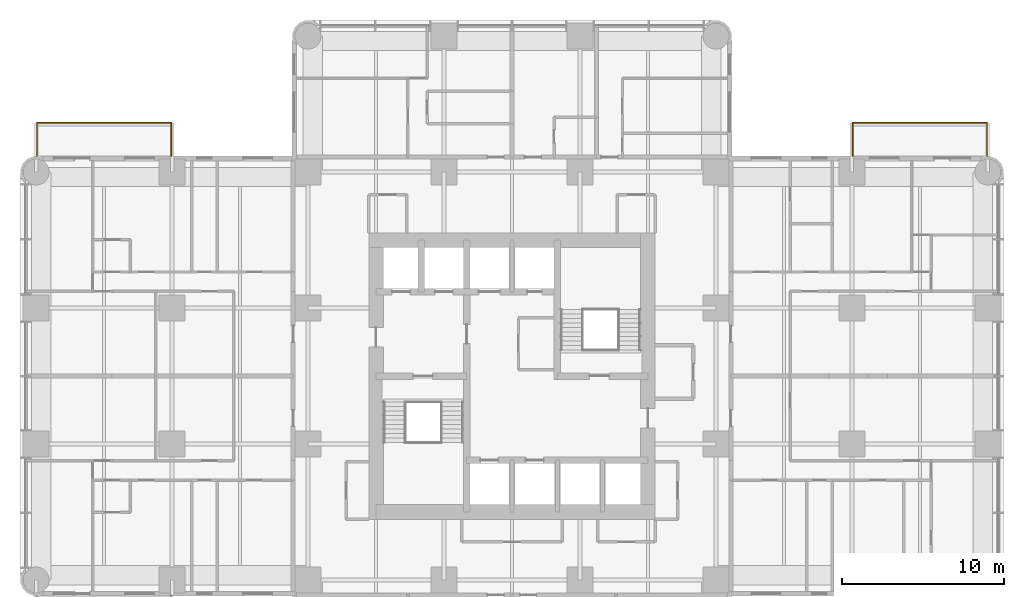
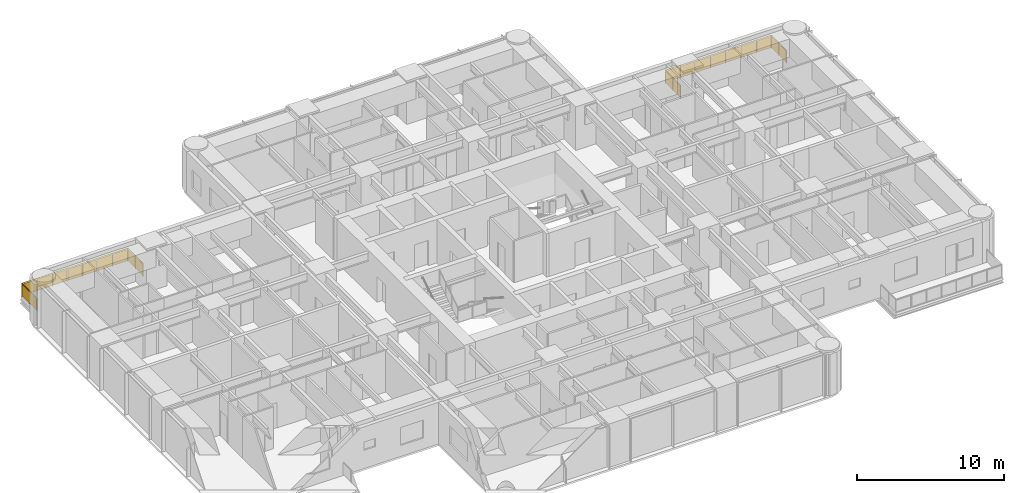
# One storey, part 15 of 15: 2 railings.
"""IFC4 building model written with IfcOpenShell, lengths in metres."""

from ifc_helpers import new_model, si_unit, direction, frame, origin, origin_2d, place, context, subcontext, project, spatial, polyline, circle, outline, extrude, material, constituent, constituent_set, type_object, element, save


model = new_model("IFC4")

# Units and contexts
model_context = context("Model", 3, precision=1e-05, world=origin(), true_north=direction((0.0, 1.0)))
body_context = subcontext(model_context, "Body", "Model", "MODEL_VIEW")
ifc_project = project(units=[si_unit("LENGTHUNIT", "METRE"), si_unit("AREAUNIT", "SQUARE_METRE"), si_unit("VOLUMEUNIT", "CUBIC_METRE"), si_unit("PLANEANGLEUNIT", "RADIAN"), si_unit("MASSUNIT", "GRAM", prefix="KILO")], contexts=[model_context])

# Site, building, storey
site_placement = place(None, origin())
site = spatial("IfcSite", under=ifc_project, at=site_placement, CompositionType="ELEMENT")
building_placement = place(site_placement, origin())
building = spatial("IfcBuilding", under=site, at=building_placement, Name="Torre Alcanfor", CompositionType="ELEMENT")
storey_placement = place(building_placement, frame((0.0, 0.0, 144.89990234375)))
storey = spatial("IfcBuildingStorey", under=building, at=storey_placement, Name="L37", CompositionType="ELEMENT", Elevation=144.89990234375)

# Railings
ifc_material_1 = material(Name="Laminated safety glass", Category="glass")
ifc_constituent_1 = constituent(ifc_material_1, Name="Infill")
ifc_material_2 = material(Name="Stainless steel ASTM A554 Grade MT 316L tube", Category="steel")
ifc_constituent_2 = constituent(ifc_material_2, Name="Posts and rail")
ifc_constituent_set = constituent_set(constituents=[ifc_constituent_1, ifc_constituent_2], Name="Balcony guard glass 1100")
railing_type = type_object("IfcRailingType", Name="Balcony guard glass 1100", PredefinedType="BALUSTRADE", material=ifc_constituent_set)
railing_1_placement = place(storey_placement, frame((50.449951171875, 43.0, 0.0)))
element("IfcRailing", 1, at=railing_1_placement, inside=storey, type_object=railing_type, Name="Balcony guard L37-E1", PredefinedType="BALUSTRADE", context=body_context, shape_type="SweptSolid", body=[
    extrude(circle(Radius=0.02392578125, at=origin_2d()), frame((0.0, 0.0, 1.076171875), z_axis=(0.0, 1.0, 0.0), x_axis=(-1.0, 0.0, 0.0)), (0.0, 0.0, 1.0), 2.050048828125),
    extrude(circle(Radius=0.02392578125, at=origin_2d()), frame((0.0, 2.050048828125, 1.076171875), z_axis=(1.0, 0.0, 0.0), x_axis=(0.0, 1.0, 0.0)), (0.0, 0.0, 1.0), 8.300048828125),
    extrude(circle(Radius=0.02392578125, at=origin_2d()), frame((8.300048828125, 2.050048828125, 1.076171875), z_axis=(0.0, -1.0, 0.0), x_axis=(1.0, 0.0, 0.0)), (0.0, 0.0, 1.0), 2.050048828125),
    extrude(circle(Radius=0.02099609375, at=origin_2d()), origin(), (0.0, 0.0, 1.0), 1.052001953125),
    extrude(circle(Radius=0.02099609375, at=origin_2d()), frame((0.0, 1.02490234375, 0.0)), (0.0, 0.0, 1.0), 1.052001953125),
    extrude(circle(Radius=0.02099609375, at=origin_2d()), frame((0.0, 2.050048828125, 0.0)), (0.0, 0.0, 1.0), 1.052001953125),
    extrude(circle(Radius=0.02099609375, at=origin_2d()), frame((1.185791015625, 2.050048828125, 0.0)), (0.0, 0.0, 1.0), 1.052001953125),
    extrude(circle(Radius=0.02099609375, at=origin_2d()), frame((2.371337890625, 2.050048828125, 0.0)), (0.0, 0.0, 1.0), 1.052001953125),
    extrude(circle(Radius=0.02099609375, at=origin_2d()), frame((3.55712890625, 2.050048828125, 0.0)), (0.0, 0.0, 1.0), 1.052001953125),
    extrude(circle(Radius=0.02099609375, at=origin_2d()), frame((4.742919921875, 2.050048828125, 0.0)), (0.0, 0.0, 1.0), 1.052001953125),
    extrude(circle(Radius=0.02099609375, at=origin_2d()), frame((5.9287109375, 2.050048828125, 0.0)), (0.0, 0.0, 1.0), 1.052001953125),
    extrude(circle(Radius=0.02099609375, at=origin_2d()), frame((7.1142578125, 2.050048828125, 0.0)), (0.0, 0.0, 1.0), 1.052001953125),
    extrude(circle(Radius=0.02099609375, at=origin_2d()), frame((8.300048828125, 2.050048828125, 0.0)), (0.0, 0.0, 1.0), 1.052001953125),
    extrude(circle(Radius=0.02099609375, at=origin_2d()), frame((8.300048828125, 1.02490234375, 0.0)), (0.0, 0.0, 1.0), 1.052001953125),
    extrude(circle(Radius=0.02099609375, at=origin_2d()), frame((8.300048828125, 0.0, 0.0)), (0.0, 0.0, 1.0), 1.052001953125),
    extrude(outline(polyline([(0.041015625, 0.050048828125), (0.984130859375, 0.050048828125), (0.984130859375, 1.001953125), (0.041015625, 1.001953125), (0.041015625, 0.050048828125)])), frame((-0.005859375, 0.0, 0.0), z_axis=(1.0, 0.0, 0.0), x_axis=(0.0, 1.0, 0.0)), (0.0, 0.0, 1.0), 0.011962890625),
    extrude(outline(polyline([(1.06591796875, 0.050048828125), (2.009033203125, 0.050048828125), (2.009033203125, 1.001953125), (1.06591796875, 1.001953125), (1.06591796875, 0.050048828125)])), frame((-0.005859375, 0.0, 0.0), z_axis=(1.0, 0.0, 0.0), x_axis=(0.0, 1.0, 0.0)), (0.0, 0.0, 1.0), 0.011962890625),
    extrude(outline(polyline([(0.041015625, 0.050048828125), (1.144775390625, 0.050048828125), (1.144775390625, 1.001953125), (0.041015625, 1.001953125), (0.041015625, 0.050048828125)])), frame((0.0, 2.05615234375, 0.0), z_axis=(0.0, -1.0, 0.0), x_axis=(1.0, 0.0, 0.0)), (0.0, 0.0, 1.0), 0.011962890625),
    extrude(outline(polyline([(1.226806640625, 0.050048828125), (2.330322265625, 0.050048828125), (2.330322265625, 1.001953125), (1.226806640625, 1.001953125), (1.226806640625, 0.050048828125)])), frame((0.0, 2.05615234375, 0.0), z_axis=(0.0, -1.0, 0.0), x_axis=(1.0, 0.0, 0.0)), (0.0, 0.0, 1.0), 0.011962890625),
    extrude(outline(polyline([(2.412353515625, 0.050048828125), (3.51611328125, 0.050048828125), (3.51611328125, 1.001953125), (2.412353515625, 1.001953125), (2.412353515625, 0.050048828125)])), frame((0.0, 2.05615234375, 0.0), z_axis=(0.0, -1.0, 0.0), x_axis=(1.0, 0.0, 0.0)), (0.0, 0.0, 1.0), 0.011962890625),
    extrude(outline(polyline([(3.59814453125, 0.050048828125), (4.701904296875, 0.050048828125), (4.701904296875, 1.001953125), (3.59814453125, 1.001953125), (3.59814453125, 0.050048828125)])), frame((0.0, 2.05615234375, 0.0), z_axis=(0.0, -1.0, 0.0), x_axis=(1.0, 0.0, 0.0)), (0.0, 0.0, 1.0), 0.011962890625),
    extrude(outline(polyline([(4.783935546875, 0.050048828125), (5.8876953125, 0.050048828125), (5.8876953125, 1.001953125), (4.783935546875, 1.001953125), (4.783935546875, 0.050048828125)])), frame((0.0, 2.05615234375, 0.0), z_axis=(0.0, -1.0, 0.0), x_axis=(1.0, 0.0, 0.0)), (0.0, 0.0, 1.0), 0.011962890625),
    extrude(outline(polyline([(5.9697265625, 0.050048828125), (7.0732421875, 0.050048828125), (7.0732421875, 1.001953125), (5.9697265625, 1.001953125), (5.9697265625, 0.050048828125)])), frame((0.0, 2.05615234375, 0.0), z_axis=(0.0, -1.0, 0.0), x_axis=(1.0, 0.0, 0.0)), (0.0, 0.0, 1.0), 0.011962890625),
    extrude(outline(polyline([(7.1552734375, 0.050048828125), (8.259033203125, 0.050048828125), (8.259033203125, 1.001953125), (7.1552734375, 1.001953125), (7.1552734375, 0.050048828125)])), frame((0.0, 2.05615234375, 0.0), z_axis=(0.0, -1.0, 0.0), x_axis=(1.0, 0.0, 0.0)), (0.0, 0.0, 1.0), 0.011962890625),
    extrude(outline(polyline([(0.041015625, 0.050048828125), (0.984130859375, 0.050048828125), (0.984130859375, 1.001953125), (0.041015625, 1.001953125), (0.041015625, 0.050048828125)])), frame((8.30615234375, 2.050048828125, 0.0), z_axis=(-1.0, 0.0, 0.0), x_axis=(0.0, -1.0, 0.0)), (0.0, 0.0, 1.0), 0.011962890625),
    extrude(outline(polyline([(1.06591796875, 0.050048828125), (2.009033203125, 0.050048828125), (2.009033203125, 1.001953125), (1.06591796875, 1.001953125), (1.06591796875, 0.050048828125)])), frame((8.30615234375, 2.050048828125, 0.0), z_axis=(-1.0, 0.0, 0.0), x_axis=(0.0, -1.0, 0.0)), (0.0, 0.0, 1.0), 0.011962890625),
])
railing_2_placement = place(storey_placement, frame((8.35009765625, 43.0, 0.0)))
element("IfcRailing", 2, at=railing_2_placement, inside=storey, type_object=railing_type, Name="Balcony guard L37-W2", PredefinedType="BALUSTRADE", context=body_context, shape_type="SweptSolid", body=[
    extrude(circle(Radius=0.02392578125, at=origin_2d()), frame((0.0, 0.0, 1.076171875), z_axis=(0.0, 1.0, 0.0), x_axis=(-1.0, 0.0, 0.0)), (0.0, 0.0, 1.0), 2.050048828125),
    extrude(circle(Radius=0.02392578125, at=origin_2d()), frame((0.0, 2.050048828125, 1.076171875), z_axis=(-1.0, 0.0, 0.0), x_axis=(0.0, -1.0, 0.0)), (0.0, 0.0, 1.0), 8.300048828125),
    extrude(circle(Radius=0.02392578125, at=origin_2d()), frame((-8.300048828125, 2.050048828125, 1.076171875), z_axis=(0.0, -1.0, 0.0), x_axis=(1.0, 0.0, 0.0)), (0.0, 0.0, 1.0), 2.050048828125),
    extrude(circle(Radius=0.02099609375, at=origin_2d()), origin(), (0.0, 0.0, 1.0), 1.052001953125),
    extrude(circle(Radius=0.02099609375, at=origin_2d()), frame((0.0, 1.02490234375, 0.0)), (0.0, 0.0, 1.0), 1.052001953125),
    extrude(circle(Radius=0.02099609375, at=origin_2d()), frame((0.0, 2.050048828125, 0.0)), (0.0, 0.0, 1.0), 1.052001953125),
    extrude(circle(Radius=0.02099609375, at=origin_2d()), frame((-1.185791015625, 2.050048828125, 0.0)), (0.0, 0.0, 1.0), 1.052001953125),
    extrude(circle(Radius=0.02099609375, at=origin_2d()), frame((-2.371337890625, 2.050048828125, 0.0)), (0.0, 0.0, 1.0), 1.052001953125),
    extrude(circle(Radius=0.02099609375, at=origin_2d()), frame((-3.55712890625, 2.050048828125, 0.0)), (0.0, 0.0, 1.0), 1.052001953125),
    extrude(circle(Radius=0.02099609375, at=origin_2d()), frame((-4.742919921875, 2.050048828125, 0.0)), (0.0, 0.0, 1.0), 1.052001953125),
    extrude(circle(Radius=0.02099609375, at=origin_2d()), frame((-5.9287109375, 2.050048828125, 0.0)), (0.0, 0.0, 1.0), 1.052001953125),
    extrude(circle(Radius=0.02099609375, at=origin_2d()), frame((-7.1142578125, 2.050048828125, 0.0)), (0.0, 0.0, 1.0), 1.052001953125),
    extrude(circle(Radius=0.02099609375, at=origin_2d()), frame((-8.300048828125, 2.050048828125, 0.0)), (0.0, 0.0, 1.0), 1.052001953125),
    extrude(circle(Radius=0.02099609375, at=origin_2d()), frame((-8.300048828125, 1.02490234375, 0.0)), (0.0, 0.0, 1.0), 1.052001953125),
    extrude(circle(Radius=0.02099609375, at=origin_2d()), frame((-8.300048828125, 0.0, 0.0)), (0.0, 0.0, 1.0), 1.052001953125),
    extrude(outline(polyline([(0.041015625, 0.050048828125), (0.984130859375, 0.050048828125), (0.984130859375, 1.001953125), (0.041015625, 1.001953125), (0.041015625, 0.050048828125)])), frame((-0.005859375, 0.0, 0.0), z_axis=(1.0, 0.0, 0.0), x_axis=(0.0, 1.0, 0.0)), (0.0, 0.0, 1.0), 0.011962890625),
    extrude(outline(polyline([(1.06591796875, 0.050048828125), (2.009033203125, 0.050048828125), (2.009033203125, 1.001953125), (1.06591796875, 1.001953125), (1.06591796875, 0.050048828125)])), frame((-0.005859375, 0.0, 0.0), z_axis=(1.0, 0.0, 0.0), x_axis=(0.0, 1.0, 0.0)), (0.0, 0.0, 1.0), 0.011962890625),
    extrude(outline(polyline([(0.041015625, 0.050048828125), (1.144775390625, 0.050048828125), (1.144775390625, 1.001953125), (0.041015625, 1.001953125), (0.041015625, 0.050048828125)])), frame((0.0, 2.0439453125, 0.0), z_axis=(0.0, 1.0, 0.0), x_axis=(-1.0, 0.0, 0.0)), (0.0, 0.0, 1.0), 0.011962890625),
    extrude(outline(polyline([(1.226806640625, 0.050048828125), (2.330322265625, 0.050048828125), (2.330322265625, 1.001953125), (1.226806640625, 1.001953125), (1.226806640625, 0.050048828125)])), frame((0.0, 2.0439453125, 0.0), z_axis=(0.0, 1.0, 0.0), x_axis=(-1.0, 0.0, 0.0)), (0.0, 0.0, 1.0), 0.011962890625),
    extrude(outline(polyline([(2.412353515625, 0.050048828125), (3.51611328125, 0.050048828125), (3.51611328125, 1.001953125), (2.412353515625, 1.001953125), (2.412353515625, 0.050048828125)])), frame((0.0, 2.0439453125, 0.0), z_axis=(0.0, 1.0, 0.0), x_axis=(-1.0, 0.0, 0.0)), (0.0, 0.0, 1.0), 0.011962890625),
    extrude(outline(polyline([(3.59814453125, 0.050048828125), (4.701904296875, 0.050048828125), (4.701904296875, 1.001953125), (3.59814453125, 1.001953125), (3.59814453125, 0.050048828125)])), frame((0.0, 2.0439453125, 0.0), z_axis=(0.0, 1.0, 0.0), x_axis=(-1.0, 0.0, 0.0)), (0.0, 0.0, 1.0), 0.011962890625),
    extrude(outline(polyline([(4.783935546875, 0.050048828125), (5.8876953125, 0.050048828125), (5.8876953125, 1.001953125), (4.783935546875, 1.001953125), (4.783935546875, 0.050048828125)])), frame((0.0, 2.0439453125, 0.0), z_axis=(0.0, 1.0, 0.0), x_axis=(-1.0, 0.0, 0.0)), (0.0, 0.0, 1.0), 0.011962890625),
    extrude(outline(polyline([(5.9697265625, 0.050048828125), (7.0732421875, 0.050048828125), (7.0732421875, 1.001953125), (5.9697265625, 1.001953125), (5.9697265625, 0.050048828125)])), frame((0.0, 2.0439453125, 0.0), z_axis=(0.0, 1.0, 0.0), x_axis=(-1.0, 0.0, 0.0)), (0.0, 0.0, 1.0), 0.011962890625),
    extrude(outline(polyline([(7.1552734375, 0.050048828125), (8.259033203125, 0.050048828125), (8.259033203125, 1.001953125), (7.1552734375, 1.001953125), (7.1552734375, 0.050048828125)])), frame((0.0, 2.0439453125, 0.0), z_axis=(0.0, 1.0, 0.0), x_axis=(-1.0, 0.0, 0.0)), (0.0, 0.0, 1.0), 0.011962890625),
    extrude(outline(polyline([(0.041015625, 0.050048828125), (0.984130859375, 0.050048828125), (0.984130859375, 1.001953125), (0.041015625, 1.001953125), (0.041015625, 0.050048828125)])), frame((-8.2939453125, 2.050048828125, 0.0), z_axis=(-1.0, 0.0, 0.0), x_axis=(0.0, -1.0, 0.0)), (0.0, 0.0, 1.0), 0.011962890625),
    extrude(outline(polyline([(1.06591796875, 0.050048828125), (2.009033203125, 0.050048828125), (2.009033203125, 1.001953125), (1.06591796875, 1.001953125), (1.06591796875, 0.050048828125)])), frame((-8.2939453125, 2.050048828125, 0.0), z_axis=(-1.0, 0.0, 0.0), x_axis=(0.0, -1.0, 0.0)), (0.0, 0.0, 1.0), 0.011962890625),
])

save(model, "model.ifc")
